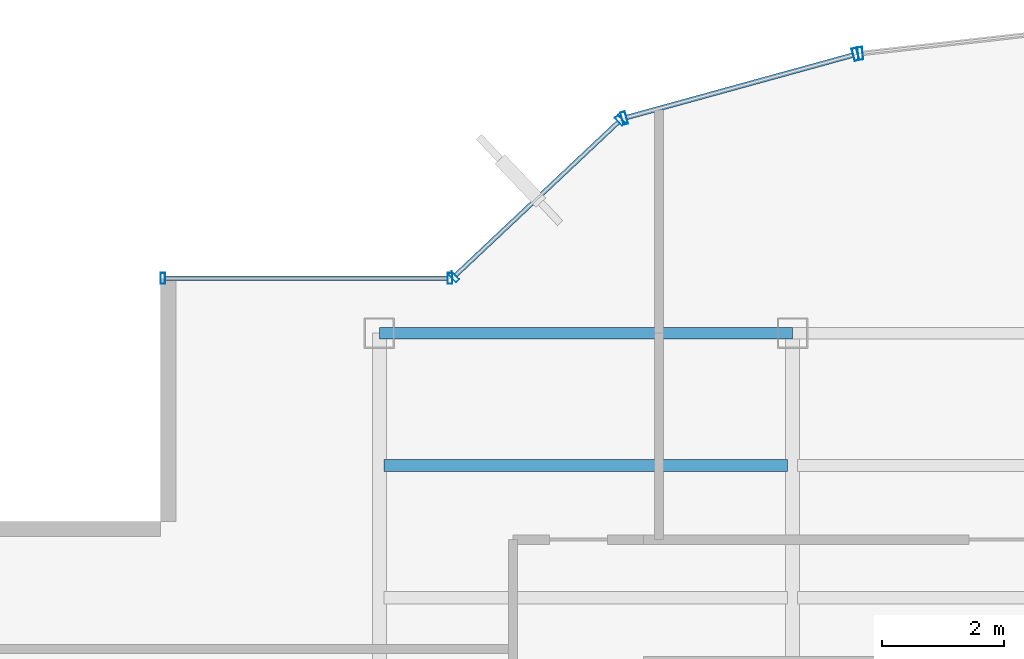
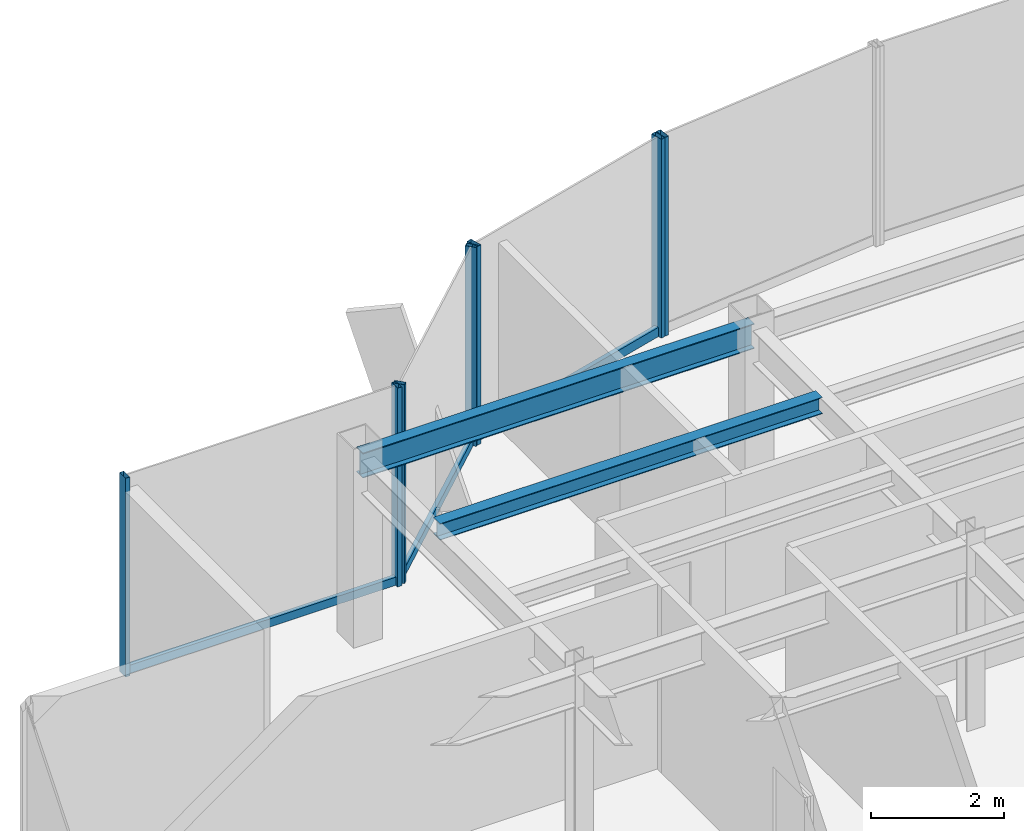
# One storey, part 12 of 22: 10 members, 2 beams, 4 elements without a shape of their own.
"""IFC4 building model written with IfcOpenShell, lengths in metres."""

from ifc_helpers import new_model, si_unit, derived_unit, direction, frame, origin, origin_2d, place, context, subcontext, project, spatial, hollow_rectangle, i_section, extrude, source, transform, mapped, material, material_profile, profile_set, type_object, element, aggregate, save


model = new_model("IFC4")

# Units and contexts
model_context = context("Model", 3, precision=1e-05, world=origin(), true_north=direction((0.0, 1.0)))
body_context = subcontext(model_context, "Body", "Model", "MODEL_VIEW")
ifc_project = project(units=[si_unit("LENGTHUNIT", "METRE"), si_unit("AREAUNIT", "SQUARE_METRE"), si_unit("VOLUMEUNIT", "CUBIC_METRE"), si_unit("PLANEANGLEUNIT", "RADIAN"), si_unit("MASSUNIT", "GRAM", prefix="KILO"), derived_unit("THERMALTRANSMITTANCEUNIT", [(si_unit("POWERUNIT", "WATT"), 1), (si_unit("LENGTHUNIT", "METRE"), -2), (si_unit("THERMODYNAMICTEMPERATUREUNIT", "KELVIN"), -1)])], contexts=[model_context])

# Site, building, storey
site_placement = place(None, origin())
site = spatial("IfcSite", under=ifc_project, at=site_placement, CompositionType="ELEMENT")
building_placement = place(site_placement, origin())
building = spatial("IfcBuilding", under=site, at=building_placement, Name="Skarnbrae Concourse Arena and Tower", CompositionType="ELEMENT")
storey_placement = place(building_placement, frame((0.0, 0.0, 255.14990234375)))
storey = spatial("IfcBuildingStorey", under=building, at=storey_placement, Name="L66", CompositionType="ELEMENT", Elevation=255.14990234375)

# Beams
ifc_material_1 = material(Name="Steel CSA G40.21 350W", Category="steel")
ifc_material_profile_1 = material_profile(ifc_material_1, i_section(OverallWidth=0.19091796875, OverallDepth=0.4599609375, WebThickness=0.010009765625, FlangeThickness=0.01611328125, at=origin_2d()), Name="W460X82")
ifc_profile_set_1 = profile_set([ifc_material_profile_1], Name="Steel CSA G40.21 350W")
beam_type_1 = type_object("IfcBeamType", Name="BM-SPAN-W460X82", PredefinedType="SPANDREL", material=ifc_profile_set_1)
shared_shape_1 = source(origin(), body_context, "Body", "SweptSolid", [
    extrude(i_section(OverallWidth=0.19091796875, OverallDepth=0.4599609375, WebThickness=0.010009765625, FlangeThickness=0.01611328125, at=origin_2d()), origin(), (0.0, 0.0, 1.0), 6.7998046875),
])
beam_1_placement = place(storey_placement, frame((7.60009765625, 34.39990234375, 3.170166015625), z_axis=(1.0, 0.0, 0.0), x_axis=(0.0, 1.0, 0.0)))
element("IfcBeam", 1, at=beam_1_placement, inside=storey, type_object=beam_type_1, Name="L66 Perimeter spandrel Y34.4-1", PredefinedType="SPANDREL", context=body_context, shape_type="MappedRepresentation", body=[
    mapped(shared_shape_1, transform((0.0, 0.0, 0.0))),
])
ifc_material_profile_2 = material_profile(ifc_material_1, i_section(OverallWidth=0.202880859375, OverallDepth=0.302978515625, WebThickness=0.007568359375, FlangeThickness=0.01318359375, at=origin_2d()), Name="W310X60")
ifc_profile_set_2 = profile_set([ifc_material_profile_2], Name="Steel CSA G40.21 350W")
beam_type_2 = type_object("IfcBeamType", Name="BM-JOIST-W310X60", PredefinedType="JOIST", material=ifc_profile_set_2)
shared_shape_2 = source(origin(), body_context, "Body", "SweptSolid", [
    extrude(i_section(OverallWidth=0.202880859375, OverallDepth=0.302978515625, WebThickness=0.007568359375, FlangeThickness=0.01318359375, at=origin_2d()), origin(), (0.0, 0.0, 1.0), 6.64013671875),
])
beam_2_placement = place(storey_placement, frame((7.679931640625, 32.221923828125, 3.24853515625), z_axis=(1.0, 0.0, 0.0), x_axis=(0.0, 1.0, 0.0)))
element("IfcBeam", 2, at=beam_2_placement, inside=storey, type_object=beam_type_2, Name="L66 Secondary floor joist 3.2.1", PredefinedType="JOIST", context=body_context, shape_type="MappedRepresentation", body=[
    mapped(shared_shape_2, transform((0.0, 0.0, 0.0))),
])

# Curtain wall, member
ifc_material_2 = material(Name="Bronze anodised aluminium 6063-T6", Category="aluminium")
curtain_wall_type_1 = type_object("IfcCurtainWallType", Name="CW-SYS-03-PORTAL", PredefinedType="USERDEFINED", material=ifc_material_2)
curtain_wall_1_placement = place(storey_placement, origin())
curtain_wall_1 = element("IfcCurtainWall", 3, at=curtain_wall_1_placement, inside=storey, type_object=curtain_wall_type_1, Name="L66 Unitised curtain wall CW-L66-E12", ObjectType="UNITISED CURTAIN WALL", PredefinedType="USERDEFINED")
ifc_material_profile_3 = material_profile(ifc_material_2, hollow_rectangle(XDim=0.080078125, YDim=0.2099609375, WallThickness=0.00439453125, at=origin_2d()), Name="ALU-MULL-80X210")
ifc_profile_set_3 = profile_set([ifc_material_profile_3], Name="Bronze anodised aluminium 6063-T6")
member_type_1 = type_object("IfcMemberType", Name="CWM-CW-03", PredefinedType="MULLION", material=ifc_profile_set_3)
shared_shape_3 = source(origin(), body_context, "Body", "SweptSolid", [
    extrude(hollow_rectangle(XDim=0.080078125, YDim=0.2099609375, WallThickness=0.00439453125, at=origin_2d()), origin(), (0.0, 0.0, 1.0), 3.650146484375),
])
member_1_placement = place(storey_placement, frame((15.513916015625, 39.001708984375, 0.0), z_axis=(0.0, 0.0, 1.0), x_axis=(-0.993768891873, -0.111460259941, 0.0)))
member_1 = element("IfcMember", 4, at=member_1_placement, type_object=member_type_1, Name="CW-L66-E12 Mullion 2", PredefinedType="MULLION", context=body_context, shape_type="MappedRepresentation", body=[
    mapped(shared_shape_3, transform((0.0, 0.0, 0.0))),
])
aggregate(curtain_wall_1, [member_1])

# Curtain wall, members
curtain_wall_2_placement = place(storey_placement, origin())
curtain_wall_2 = element("IfcCurtainWall", 5, at=curtain_wall_2_placement, inside=storey, type_object=curtain_wall_type_1, Name="L66 Unitised curtain wall CW-L66-E13", ObjectType="UNITISED CURTAIN WALL", PredefinedType="USERDEFINED")
member_2_placement = place(storey_placement, frame((15.435546875, 38.986572265625, 0.0), z_axis=(0.0, 0.0, 1.0), x_axis=(-0.964057388766, -0.265694093207, 0.0)))
member_2 = element("IfcMember", 6, at=member_2_placement, type_object=member_type_1, Name="CW-L66-E13 Mullion 1", PredefinedType="MULLION", context=body_context, shape_type="MappedRepresentation", body=[
    mapped(shared_shape_3, transform((0.0, 0.0, 0.0))),
])
member_3_placement = place(storey_placement, frame((11.62890625, 37.937255859375, 0.0), z_axis=(0.0, 0.0, 1.0), x_axis=(-0.964057388766, -0.265694093207, 0.0)))
member_3 = element("IfcMember", 7, at=member_3_placement, type_object=member_type_1, Name="CW-L66-E13 Mullion 2", PredefinedType="MULLION", context=body_context, shape_type="MappedRepresentation", body=[
    mapped(shared_shape_3, transform((0.0, 0.0, 0.0))),
])

# Curtain wall, member
curtain_wall_type_2 = type_object("IfcCurtainWallType", Name="CW-SYS-05-HIGHZONE", PredefinedType="USERDEFINED", material=ifc_material_2)
curtain_wall_3_placement = place(storey_placement, origin())
curtain_wall_3 = element("IfcCurtainWall", 8, at=curtain_wall_3_placement, inside=storey, type_object=curtain_wall_type_2, Name="L66 Unitised curtain wall CW-L66-E15", ObjectType="UNITISED CURTAIN WALL", PredefinedType="USERDEFINED")
ifc_material_profile_4 = material_profile(ifc_material_2, hollow_rectangle(XDim=0.074951171875, YDim=0.14990234375, WallThickness=0.00390625, at=origin_2d()), Name="ALU-TRAN-75X150")
ifc_profile_set_4 = profile_set([ifc_material_profile_4], Name="Bronze anodised aluminium 6063-T6")
member_type_2 = type_object("IfcMemberType", Name="CWT-CW-05", PredefinedType="USERDEFINED", material=ifc_profile_set_4)
shared_shape_4 = source(origin(), body_context, "Body", "SweptSolid", [
    extrude(hollow_rectangle(XDim=0.074951171875, YDim=0.14990234375, WallThickness=0.00390625, at=origin_2d()), origin(), (0.0, 0.0, 1.0), 4.650146484375),
])
member_4_placement = place(storey_placement, frame((8.72509765625, 35.300048828125, 0.0751953125), z_axis=(-1.0, 0.0, 0.0), x_axis=(0.0, -1.0, 0.0)))
member_4 = element("IfcMember", 9, at=member_4_placement, type_object=member_type_2, Name="CW-L66-E15 Transom 1", ObjectType="TRANSOM", PredefinedType="USERDEFINED", context=body_context, shape_type="MappedRepresentation", body=[
    mapped(shared_shape_4, transform((0.0, 0.0, 0.0))),
])

# Curtain wall, members
curtain_wall_4_placement = place(storey_placement, origin())
curtain_wall_4 = element("IfcCurtainWall", 10, at=curtain_wall_4_placement, inside=storey, type_object=curtain_wall_type_2, Name="L66 Unitised curtain wall CW-L66-E14", ObjectType="UNITISED CURTAIN WALL", PredefinedType="USERDEFINED")
shared_shape_5 = source(origin(), body_context, "Body", "SweptSolid", [
    extrude(hollow_rectangle(XDim=0.074951171875, YDim=0.14990234375, WallThickness=0.00390625, at=origin_2d()), origin(), (0.0, 0.0, 1.0), 3.68212890625),
])
member_5_placement = place(storey_placement, frame((11.53564453125, 37.875244140625, 0.0751953125), z_axis=(-0.728133808476, -0.685435012933, 0.0), x_axis=(0.685435012933, -0.728133808476, 0.0)))
member_5 = element("IfcMember", 11, at=member_5_placement, type_object=member_type_2, Name="CW-L66-E14 Transom 1", ObjectType="TRANSOM", PredefinedType="USERDEFINED", context=body_context, shape_type="MappedRepresentation", body=[
    mapped(shared_shape_5, transform((0.0, 0.0, 0.0))),
])
ifc_material_profile_5 = material_profile(ifc_material_2, hollow_rectangle(XDim=0.074951171875, YDim=0.179931640625, WallThickness=0.00390625, at=origin_2d()), Name="ALU-MULL-75X180")
ifc_profile_set_5 = profile_set([ifc_material_profile_5], Name="Bronze anodised aluminium 6063-T6")
member_type_3 = type_object("IfcMemberType", Name="CWM-CW-05", PredefinedType="MULLION", material=ifc_profile_set_5)
shared_shape_6 = source(origin(), body_context, "Body", "SweptSolid", [
    extrude(hollow_rectangle(XDim=0.074951171875, YDim=0.179931640625, WallThickness=0.00390625, at=origin_2d()), origin(), (0.0, 0.0, 1.0), 3.650146484375),
])
member_6_placement = place(storey_placement, frame((11.56298828125, 37.90087890625, 0.0), z_axis=(0.0, 0.0, 1.0), x_axis=(-0.728130555214, -0.685438468838, 0.0)))
member_6 = element("IfcMember", 12, at=member_6_placement, type_object=member_type_3, Name="CW-L66-E14 Mullion 1", PredefinedType="MULLION", context=body_context, shape_type="MappedRepresentation", body=[
    mapped(shared_shape_6, transform((0.0, 0.0, 0.0))),
])
member_7_placement = place(storey_placement, frame((8.827392578125, 35.32568359375, 0.0), z_axis=(0.0, 0.0, 1.0), x_axis=(-0.728130555214, -0.685438468838, 0.0)))
member_7 = element("IfcMember", 13, at=member_7_placement, type_object=member_type_3, Name="CW-L66-E14 Mullion 2", PredefinedType="MULLION", context=body_context, shape_type="MappedRepresentation", body=[
    mapped(shared_shape_6, transform((0.0, 0.0, 0.0))),
])
aggregate(curtain_wall_4, [member_6, member_7, member_5])

# Member
member_8_placement = place(storey_placement, frame((8.762451171875, 35.300048828125, 0.0), z_axis=(0.0, 0.0, 1.0), x_axis=(-1.0, 0.0, 0.0)))
member_8 = element("IfcMember", 14, at=member_8_placement, type_object=member_type_3, Name="CW-L66-E15 Mullion 1", PredefinedType="MULLION", context=body_context, shape_type="MappedRepresentation", body=[
    mapped(shared_shape_6, transform((0.0, 0.0, 0.0))),
])

member_9_placement = place(storey_placement, frame((4.03759765625, 35.300048828125, 0.0), z_axis=(0.0, 0.0, 1.0), x_axis=(-1.0, 0.0, 0.0)))
member_9 = element("IfcMember", 15, at=member_9_placement, type_object=member_type_3, Name="CW-L66-E15 Mullion 2", PredefinedType="MULLION", context=body_context, shape_type="MappedRepresentation", body=[
    mapped(shared_shape_6, transform((0.0, 0.0, 0.0))),
])

aggregate(curtain_wall_3, [member_8, member_9, member_4])

ifc_material_profile_6 = material_profile(ifc_material_2, hollow_rectangle(XDim=0.080078125, YDim=0.169921875, WallThickness=0.00439453125, at=origin_2d()), Name="ALU-TRAN-80X170")
ifc_profile_set_6 = profile_set([ifc_material_profile_6], Name="Bronze anodised aluminium 6063-T6")
member_type_4 = type_object("IfcMemberType", Name="CWT-CW-03", PredefinedType="USERDEFINED", material=ifc_profile_set_6)
shared_shape_7 = source(origin(), body_context, "Body", "SweptSolid", [
    extrude(hollow_rectangle(XDim=0.080078125, YDim=0.169921875, WallThickness=0.00439453125, at=origin_2d()), origin(), (0.0, 0.0, 1.0), 3.86865234375),
])
member_10_placement = place(storey_placement, frame((15.397216796875, 38.975830078125, 0.085205078125), z_axis=(-0.964062872218, -0.265674195983, 0.0), x_axis=(0.265674195983, -0.964062872218, 0.0)))
member_10 = element("IfcMember", 16, at=member_10_placement, type_object=member_type_4, Name="CW-L66-E13 Transom 1", ObjectType="TRANSOM", PredefinedType="USERDEFINED", context=body_context, shape_type="MappedRepresentation", body=[
    mapped(shared_shape_7, transform((0.0, 0.0, 0.0))),
])

aggregate(curtain_wall_2, [member_2, member_3, member_10])

save(model, "model.ifc")
